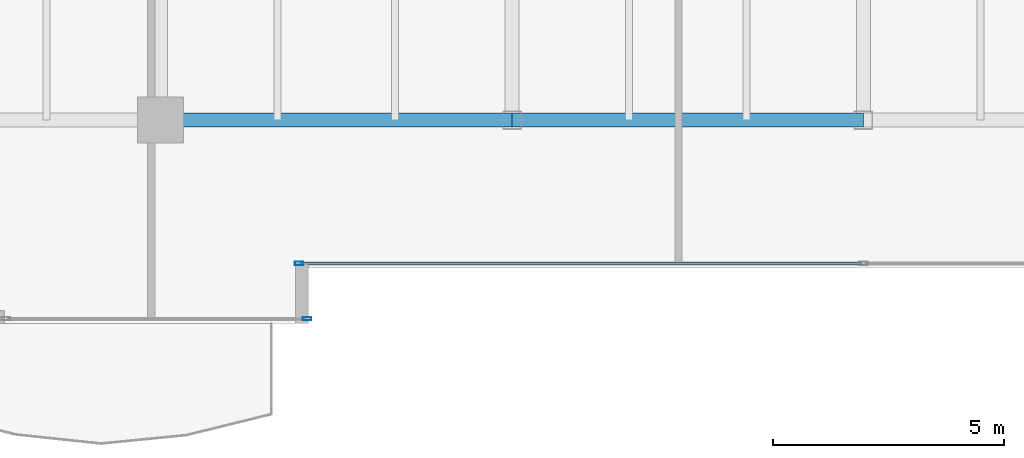
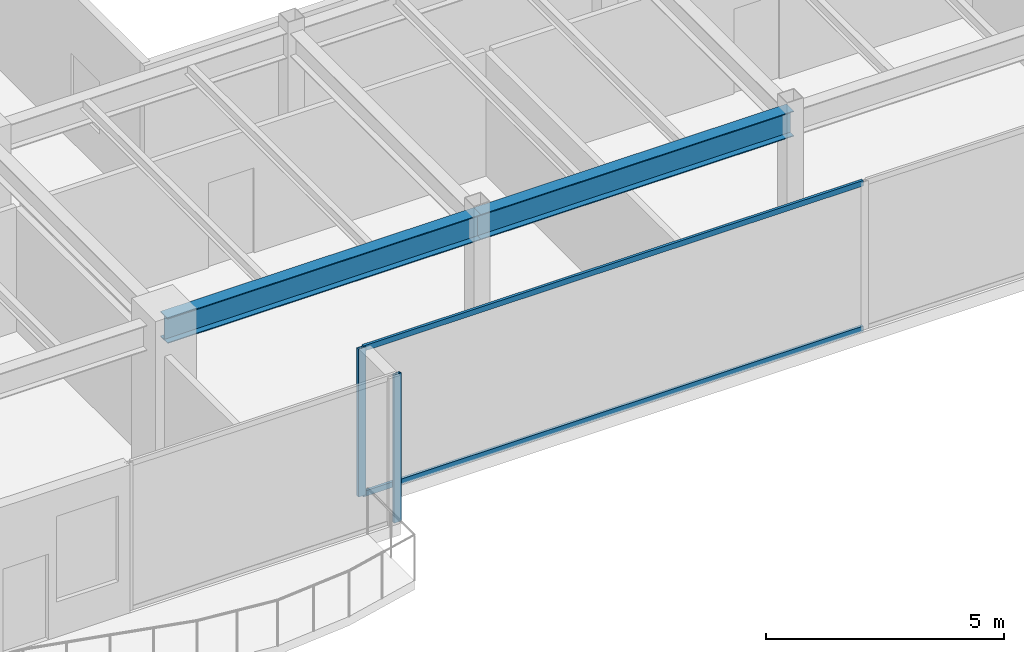
# One storey, part 6 of 34: 4 members, 2 beams, 2 elements without a shape of their own.
"""IFC4 building model written with IfcOpenShell, lengths in metres."""

from ifc_helpers import new_model, si_unit, direction, frame, origin, origin_2d, place, context, subcontext, project, spatial, hollow_rectangle, i_section, extrude, source, transform, mapped, material, layer, layer_set, material_profile, profile_set, type_object, type_shapes, element, aggregate, save


model = new_model("IFC4")

# Units and contexts
model_context = context("Model", 3, precision=1e-05, world=origin(), true_north=direction((0.0, 1.0)))
body_context = subcontext(model_context, "Body", "Model", "MODEL_VIEW")
ifc_project = project(units=[si_unit("LENGTHUNIT", "METRE"), si_unit("AREAUNIT", "SQUARE_METRE"), si_unit("VOLUMEUNIT", "CUBIC_METRE"), si_unit("PLANEANGLEUNIT", "RADIAN"), si_unit("MASSUNIT", "GRAM", prefix="KILO")], contexts=[model_context])

# Site, building, storey
site_placement = place(None, origin())
site = spatial("IfcSite", under=ifc_project, at=site_placement, CompositionType="ELEMENT")
building_placement = place(site_placement, origin())
building = spatial("IfcBuilding", under=site, at=building_placement, Name="Haelvirn Gate Laboratories", CompositionType="ELEMENT")
storey_placement = place(building_placement, frame((0.0, 0.0, 205.5)))
storey = spatial("IfcBuildingStorey", under=building, at=storey_placement, Name="L49", CompositionType="ELEMENT", Elevation=205.5)

# Beams
ifc_material_1 = material(Name="Steel SM355", Category="steel")
ifc_material_profile_1 = material_profile(ifc_material_1, i_section(OverallWidth=0.300048828125, OverallDepth=0.64990234375, WebThickness=0.012939453125, FlangeThickness=0.02197265625, at=origin_2d()), Name="H-650x300x13x22")
ifc_profile_set_1 = profile_set([ifc_material_profile_1], Name="Steel SM355")
beam_type = type_object("IfcBeamType", Name="BM-G-650", PredefinedType="BEAM", material=ifc_profile_set_1)
shared_shape_1 = source(origin(), body_context, "Body", "SweptSolid", [
    extrude(i_section(OverallWidth=0.300048828125, OverallDepth=0.64990234375, WebThickness=0.012939453125, FlangeThickness=0.02197265625, at=origin_2d()), origin(), (0.0, 0.0, 1.0), 7.60009765625),
])
beam_1_placement = place(storey_placement, frame((22.199951171875, 7.0, 3.47509765625), z_axis=(1.0, 0.0, 0.0), x_axis=(0.0, 1.0, 0.0)))
element("IfcBeam", 1, at=beam_1_placement, inside=storey, type_object=beam_type, Name="L49 Primary Girder Y7.0 (22.2-29.8)", PredefinedType="BEAM", context=body_context, shape_type="MappedRepresentation", body=[
    mapped(shared_shape_1, transform((0.0, 0.0, 0.0), scale=1.0)),
])
shared_shape_2 = source(origin(), body_context, "Body", "SweptSolid", [
    extrude(i_section(OverallWidth=0.300048828125, OverallDepth=0.64990234375, WebThickness=0.012939453125, FlangeThickness=0.02197265625, at=origin_2d()), origin(), (0.0, 0.0, 1.0), 7.599853515625),
])
type_shapes(beam_type, [shared_shape_1, shared_shape_2])
beam_2_placement = place(storey_placement, frame((29.800048828125, 7.0, 3.47509765625), z_axis=(1.0, 0.0, 0.0), x_axis=(0.0, 1.0, 0.0)))
element("IfcBeam", 2, at=beam_2_placement, inside=storey, type_object=beam_type, Name="L49 Primary Girder Y7.0 (29.8-37.4)", PredefinedType="BEAM", context=body_context, shape_type="MappedRepresentation", body=[
    mapped(shared_shape_2, transform((0.0, 0.0, 0.0), scale=1.0)),
])

# Curtain wall, members
ifc_material_2 = material(Name="Anodised bronze unitised aluminium & triple low-E glass", Category="aluminium")
ifc_layer = layer(ifc_material_2, 0.176025390625, Name="CW-SYS-4")
ifc_layer_set = layer_set([ifc_layer], Name="Anodised bronze unitised aluminium & triple low-E glass")
curtain_wall_type = type_object("IfcCurtainWallType", Name="CW-SYS-4", PredefinedType="NOTDEFINED", material=ifc_layer_set)
curtain_wall_1_placement = place(storey_placement, origin())
curtain_wall_1 = element("IfcCurtainWall", 3, at=curtain_wall_1_placement, inside=storey, type_object=curtain_wall_type, Name="L49 Unitised Curtain Wall CW-L49-P0-E02-1", PredefinedType="NOTDEFINED")
ifc_material_3 = material(Name="Extruded aluminium 6063-T6 (anodised bronze)", Category="aluminium")
ifc_material_profile_2 = material_profile(ifc_material_3, hollow_rectangle(XDim=0.06494140625, YDim=0.139892578125, WallThickness=0.00390625, at=origin_2d()), Name="CWT-140x65x4")
ifc_profile_set_2 = profile_set([ifc_material_profile_2], Name="Extruded aluminium 6063-T6 (anodised bronze)")
member_type_1 = type_object("IfcMemberType", Name="CWT-T140", PredefinedType="USERDEFINED", material=ifc_profile_set_2)
shared_shape_3 = source(origin(), body_context, "Body", "SweptSolid", [
    extrude(hollow_rectangle(XDim=0.06494140625, YDim=0.139892578125, WallThickness=0.00390625, at=origin_2d()), origin(), (0.0, 0.0, 1.0), 12.135009765625),
])
type_shapes(member_type_1, [shared_shape_3])
member_1_placement = place(storey_placement, frame((25.22998046875, 3.89990234375, 0.032470703125), z_axis=(1.0, 0.0, 0.0), x_axis=(0.0, 1.0, 0.0)))
member_1 = element("IfcMember", 4, at=member_1_placement, type_object=member_type_1, Name="CW4 transom 1.1", ObjectType="TRANSOM", PredefinedType="USERDEFINED", context=body_context, shape_type="MappedRepresentation", body=[
    mapped(shared_shape_3, transform((0.0, 0.0, 0.0), scale=1.0)),
])
member_2_placement = place(storey_placement, frame((25.22998046875, 3.89990234375, 3.767578125), z_axis=(1.0, 0.0, 0.0), x_axis=(0.0, 1.0, 0.0)))
member_2 = element("IfcMember", 5, at=member_2_placement, type_object=member_type_1, Name="CW4 transom 1.2", ObjectType="TRANSOM", PredefinedType="USERDEFINED", context=body_context, shape_type="MappedRepresentation", body=[
    mapped(shared_shape_3, transform((0.0, 0.0, 0.0), scale=1.0)),
])

# Curtain wall, member
curtain_wall_2_placement = place(storey_placement, origin())
curtain_wall_2 = element("IfcCurtainWall", 6, at=curtain_wall_2_placement, inside=storey, type_object=curtain_wall_type, Name="L49 Unitised Curtain Wall CW-L49-P0-E00-2", PredefinedType="NOTDEFINED")
ifc_material_profile_3 = material_profile(ifc_material_3, hollow_rectangle(XDim=0.070068359375, YDim=0.179931640625, WallThickness=0.0048828125, at=origin_2d()), Name="CWM-180x70x5")
ifc_profile_set_3 = profile_set([ifc_material_profile_3], Name="Extruded aluminium 6063-T6 (anodised bronze)")
member_type_2 = type_object("IfcMemberType", Name="CWM-T180", PredefinedType="MULLION", material=ifc_profile_set_3)
shared_shape_4 = source(origin(), body_context, "Body", "SweptSolid", [
    extrude(hollow_rectangle(XDim=0.070068359375, YDim=0.179931640625, WallThickness=0.0048828125, at=origin_2d()), origin(), (0.0, 0.0, 1.0), 3.800048828125),
])
type_shapes(member_type_2, [shared_shape_4])
member_3_placement = place(storey_placement, frame((25.364990234375, 2.699951171875, 0.0), z_axis=(0.0, 0.0, 1.0), x_axis=(0.0, 1.0, 0.0)))
member_3 = element("IfcMember", 7, at=member_3_placement, type_object=member_type_2, Name="CW4 mullion 2", PredefinedType="MULLION", context=body_context, shape_type="MappedRepresentation", body=[
    mapped(shared_shape_4, transform((0.0, 0.0, 0.0), scale=1.0)),
])
aggregate(curtain_wall_2, [member_3])

# Member
member_4_placement = place(storey_placement, frame((25.195068359375, 3.89990234375, 0.0), z_axis=(0.0, 0.0, 1.0), x_axis=(0.0, 1.0, 0.0)))
member_4 = element("IfcMember", 8, at=member_4_placement, type_object=member_type_2, Name="CW4 mullion 1", PredefinedType="MULLION", context=body_context, shape_type="MappedRepresentation", body=[
    mapped(shared_shape_4, transform((0.0, 0.0, 0.0), scale=1.0)),
])

aggregate(curtain_wall_1, [member_4, member_1, member_2])

save(model, "model.ifc")
